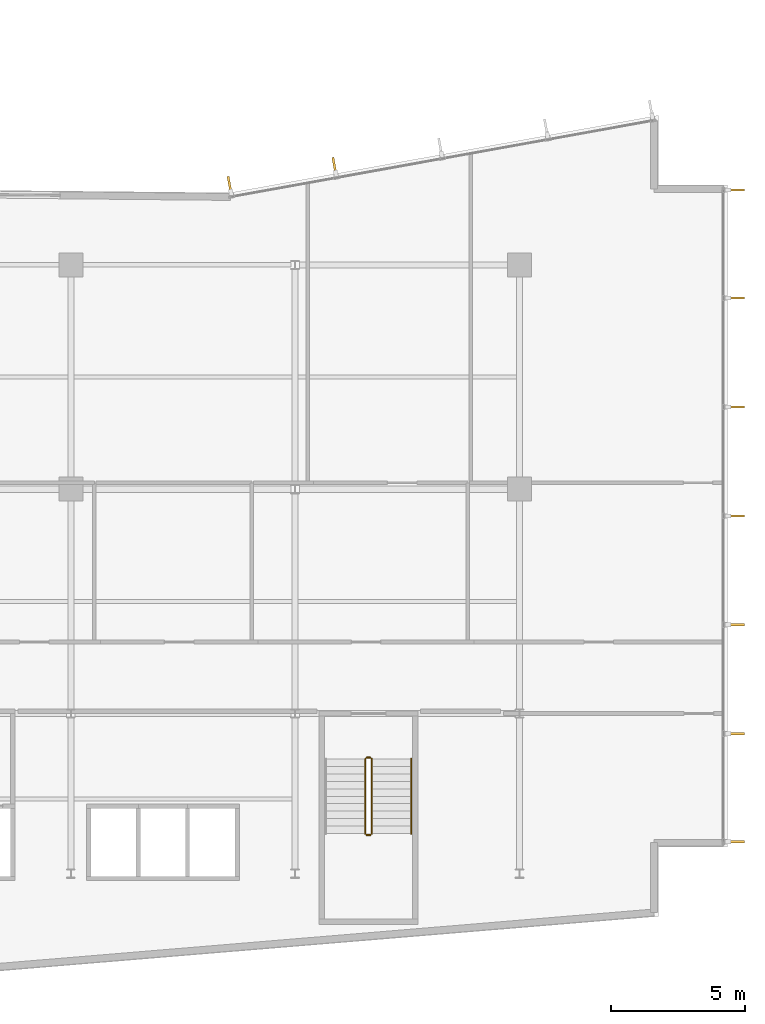
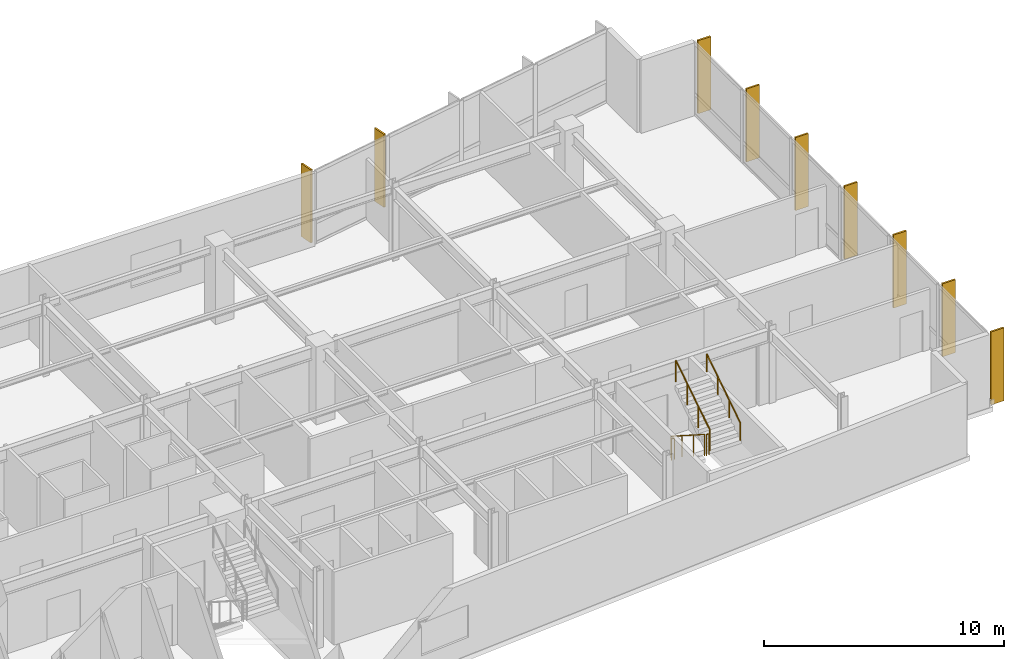
# One storey, part 19 of 21: 9 shading devices, 5 railings.
"""IFC4 building model written with IfcOpenShell, lengths in metres."""

import ifcopenshell
import ifcopenshell.guid

model = None  # the IFC model being written
_history = None  # IfcOwnerHistory: only IFC2X3 demands one
_inside = {}  # id of a spatial element -> (the spatial element, [elements in it])
_under = {}  # id of a project, library or spatial element -> (it, [spatial elements below it])
_declared = {}  # id of a project -> (the project, [libraries it declares])
_typed = {}  # id of a type object -> (the type object, [elements of that type])
_made_of = {}  # id of a material, layer set ... -> (it, [elements and type objects made of it])


def new_model(schema):
    """Start an empty IFC model of exactly this schema.

    Asked for "IFC4X3", IfcOpenShell would pick the latest addendum, in which some entities
    have other attributes; the version numbers below select the first issue.
    IFC2X3 requires an IfcOwnerHistory on every rooted entity: one is made here for all.
    """
    global model, _history
    if schema == "IFC4X3":
        model = ifcopenshell.file(schema_version=(4, 3, 0, 0))
    else:
        model = ifcopenshell.file(schema=schema)
    _inside.clear()
    _under.clear()
    _declared.clear()
    _typed.clear()
    _made_of.clear()
    _history = None
    if model.schema == "IFC2X3":
        org = make("IfcOrganization", Name="unknown")
        user = make(
            "IfcPersonAndOrganization",
            ThePerson=make("IfcPerson", FamilyName="unknown"),
            TheOrganization=org,
        )
        app = make(
            "IfcApplication",
            ApplicationDeveloper=org,
            Version="unknown",
            ApplicationFullName="unknown",
            ApplicationIdentifier="unknown",
        )
        _history = make(
            "IfcOwnerHistory",
            OwningUser=user,
            OwningApplication=app,
            ChangeAction="ADDED",
            CreationDate=0,
        )
    return model


def make(cls, **values):
    """One entity of the class cls with the attributes given. An attribute that is None is left unset."""
    return model.create_entity(
        cls, **{name: value for name, value in values.items() if value is not None}
    )


def rooted(cls, **values):
    """An entity with a GlobalId (a new one), such as an element, a storey or a relation."""
    return make(cls, GlobalId=ifcopenshell.guid.new(), OwnerHistory=_history, **values)


def si_unit(unit_type, name, prefix=None):
    """IfcSIUnit, for example si_unit("LENGTHUNIT", "METRE", prefix="MILLI")."""
    return make("IfcSIUnit", UnitType=unit_type, Prefix=prefix, Name=name)


def assignment(units):
    """IfcUnitAssignment: the units of a project."""
    return None if units is None else make("IfcUnitAssignment", Units=units)


def point(xyz):
    """IfcCartesianPoint."""
    return None if xyz is None else make("IfcCartesianPoint", Coordinates=xyz)


def direction(xyz):
    """IfcDirection."""
    return None if xyz is None else make("IfcDirection", DirectionRatios=xyz)


def frame(location, z_axis=None, x_axis=None):
    """IfcAxis2Placement3D, a coordinate frame: its origin and axes. An axis left out is left unset."""
    return make(
        "IfcAxis2Placement3D",
        Location=point(location),
        Axis=direction(z_axis),
        RefDirection=direction(x_axis),
    )


def frame_2d(location, x_axis=None):
    """IfcAxis2Placement2D, a coordinate frame in the plane: its origin and x axis."""
    return make(
        "IfcAxis2Placement2D", Location=point(location), RefDirection=direction(x_axis)
    )


def origin():
    """The frame at (0, 0, 0) with its axes left unset."""
    return frame((0.0, 0.0, 0.0))


def origin_2d():
    """The frame at (0, 0) in the plane with its x axis left unset."""
    return frame_2d((0.0, 0.0))


def place(relative_to, where):
    """IfcLocalPlacement: puts the frame where relative to a parent placement (None: the world)."""
    return make(
        "IfcLocalPlacement", PlacementRelTo=relative_to, RelativePlacement=where
    )


def context(
    kind, dimensions, precision=None, world=None, true_north=None, identifier=None
):
    """IfcGeometricRepresentationContext, for example the 3D "Model" context."""
    return make(
        "IfcGeometricRepresentationContext",
        ContextIdentifier=identifier,
        ContextType=kind,
        CoordinateSpaceDimension=dimensions,
        Precision=precision,
        WorldCoordinateSystem=world,
        TrueNorth=true_north,
    )


def subcontext(parent, identifier, kind, view, scale=None):
    """IfcGeometricRepresentationSubContext, for example "Body" below "Model"."""
    return make(
        "IfcGeometricRepresentationSubContext",
        ContextIdentifier=identifier,
        ContextType=kind,
        ParentContext=parent,
        TargetScale=scale,
        TargetView=view,
    )


def project(units=None, contexts=None):
    """IfcProject with its units and contexts."""
    return rooted(
        "IfcProject",
        Name="project",
        RepresentationContexts=contexts,
        UnitsInContext=assignment(units),
    )


def spatial(cls, under=None, at=None, **own):
    """A site, building, storey or space (cls), placed at a placement, below another one or the project."""
    s = rooted(cls, ObjectPlacement=at, **own)
    if under is not None:
        _under.setdefault(under.id(), (under, []))[1].append(s)
    return s


def profile(cls, at=None, kind="AREA", **sizes):
    """A parametric profile (cls). Its sizes go by their IFC names, for example OverallWidth=200.0."""
    return make(cls, ProfileType=kind, Position=at, **sizes)


def rectangle(**sizes):
    """IfcRectangleProfileDef."""
    return profile("IfcRectangleProfileDef", **sizes)


def circle(**sizes):
    """IfcCircleProfileDef."""
    return profile("IfcCircleProfileDef", **sizes)


def extrude(swept, where, along, depth):
    """IfcExtrudedAreaSolid: the profile swept, set in the frame where, extruded along a direction by depth."""
    return make(
        "IfcExtrudedAreaSolid",
        SweptArea=swept,
        Position=where,
        ExtrudedDirection=direction(along),
        Depth=depth,
    )


def shape(context_of_items, identifier, shape_type, items):
    """IfcShapeRepresentation: the items that make up one representation, for example the "Body"."""
    return make(
        "IfcShapeRepresentation",
        ContextOfItems=context_of_items,
        RepresentationIdentifier=identifier,
        RepresentationType=shape_type,
        Items=items,
    )


def material(Name=None, Category=None):
    """IfcMaterial."""
    return make("IfcMaterial", Name=Name, Category=Category)


def layer(
    of_material, thickness, ventilated=None, Name=None, Category=None, Priority=None
):
    """IfcMaterialLayer: one layer of a wall or slab, of a material (None: an air gap)."""
    return make(
        "IfcMaterialLayer",
        Material=of_material,
        LayerThickness=thickness,
        IsVentilated=ventilated,
        Name=Name,
        Category=Category,
        Priority=Priority,
    )


def layer_set(layers, Name=None):
    """IfcMaterialLayerSet."""
    return make("IfcMaterialLayerSet", MaterialLayers=layers, LayerSetName=Name)


def made_of(thing, what):
    """Note that an element or type object is made of a material, layer set ...; save() writes the relation."""
    if what is not None:
        _made_of.setdefault(what.id(), (what, []))[1].append(thing)
    return thing


def type_object(cls, material=None, **own):
    """A type object (cls), such as IfcWallType, which elements share."""
    return made_of(rooted(cls, **own), material)


def element(
    cls,
    number,
    at=None,
    inside=None,
    cuts=None,
    type_object=None,
    material=None,
    context=None,
    identifier="Body",
    shape_type=None,
    held_by="IfcProductDefinitionShape",
    body=None,
    shapes=None,
    **own,
):
    """One element of the class cls, such as IfcWall. Its Tag is "e" and its number.

    at: its placement. inside: the storey or other place that contains it. cuts: it is an
    opening in that element (IfcRelVoidsElement). A single representation is given by context,
    identifier, shape_type and body (its items); several are given by shapes. held_by: the class
    of the entity that holds the representations. save() writes the other relations.
    """
    e = rooted(cls, Tag="e%d" % number, ObjectPlacement=at, **own)
    if body is not None:
        shapes = [shape(context, identifier, shape_type, body)]
    if shapes is not None:
        e.Representation = make(held_by, Representations=shapes)
    if inside is not None:
        _inside.setdefault(inside.id(), (inside, []))[1].append(e)
    if cuts is not None:
        rooted(
            "IfcRelVoidsElement", RelatingBuildingElement=cuts, RelatedOpeningElement=e
        )
    if type_object is not None:
        _typed.setdefault(type_object.id(), (type_object, []))[1].append(e)
    return made_of(e, material)


def aggregate(whole, parts):
    """IfcRelAggregates: a whole, such as a stair, and the parts it consists of."""
    return rooted("IfcRelAggregates", RelatingObject=whole, RelatedObjects=parts)


def save(model, path):
    """Write the relations noted so far, then the file.

    IfcRelAggregates (storeys below a building ...), IfcRelContainedInSpatialStructure (elements
    in a storey), IfcRelDefinesByType, IfcRelAssociatesMaterial and IfcRelDeclares: one each for
    every whole, place, type object, material and project.
    """
    for whole, parts in _under.values():
        aggregate(whole, parts)
    for where, things in _inside.values():
        rooted(
            "IfcRelContainedInSpatialStructure",
            RelatedElements=things,
            RelatingStructure=where,
        )
    for kind, things in _typed.values():
        rooted("IfcRelDefinesByType", RelatedObjects=things, RelatingType=kind)
    for what, things in _made_of.values():
        rooted("IfcRelAssociatesMaterial", RelatedObjects=things, RelatingMaterial=what)
    for by, libraries in _declared.values():
        rooted("IfcRelDeclares", RelatingContext=by, RelatedDefinitions=libraries)
    model.write(path)


model = new_model("IFC4")

# Units and contexts
model_context = context("Model", 3, precision=1e-05, world=origin(), true_north=direction((0.0, 1.0)))
body_context = subcontext(model_context, "Body", "Model", "MODEL_VIEW")
ifc_project = project(units=[si_unit("LENGTHUNIT", "METRE"), si_unit("AREAUNIT", "SQUARE_METRE"), si_unit("VOLUMEUNIT", "CUBIC_METRE"), si_unit("PLANEANGLEUNIT", "RADIAN"), si_unit("MASSUNIT", "GRAM", prefix="KILO")], contexts=[model_context])

# Site, building, storey
site_placement = place(None, origin())
site = spatial("IfcSite", under=ifc_project, at=site_placement, CompositionType="ELEMENT")
building_placement = place(site_placement, origin())
building = spatial("IfcBuilding", under=site, at=building_placement, Name="Varnakote Quay Hospital", CompositionType="ELEMENT")
storey_placement = place(building_placement, frame((0.0, 0.0, 77.800048828125)))
storey = spatial("IfcBuildingStorey", under=building, at=storey_placement, Name="L19", CompositionType="ELEMENT", Elevation=77.800048828125)

# Railings
ifc_material_1 = material(Name="Brushed stainless steel balustrade", Category="steel")
railing_type_1 = type_object("IfcRailingType", Name="RLG-STAIR-GUARD-1150", PredefinedType="GUARDRAIL", material=ifc_material_1)
railing_1_placement = place(storey_placement, frame((44.6298828125, 10.300048828125, 0.179443359375)))
element("IfcRailing", 1, at=railing_1_placement, inside=storey, type_object=railing_type_1, Name="L19 ST-03 stair guard 1", PredefinedType="GUARDRAIL", context=body_context, shape_type="SweptSolid", body=[
    extrude(circle(Radius=0.02392578125, at=origin_2d()), frame((0.0, 0.0, 1.076171875), z_axis=(0.0, -0.841809871826, 0.539774156196), x_axis=(1.0, 0.0, 0.0)), (0.0, 0.0, 1.0), 3.326171875),
    extrude(circle(Radius=0.02099609375, at=origin_2d()), origin(), (0.0, 0.0, 1.0), 1.052001953125),
    extrude(circle(Radius=0.02099609375, at=origin_2d()), frame((0.0, -0.933349609375, 0.598388671875)), (0.0, 0.0, 1.0), 1.052001953125),
    extrude(circle(Radius=0.02099609375, at=origin_2d()), frame((0.0, -1.86669921875, 1.197021484375)), (0.0, 0.0, 1.0), 1.052001953125),
    extrude(circle(Radius=0.02099609375, at=origin_2d()), frame((0.0, -2.800048828125, 1.79541015625)), (0.0, 0.0, 1.0), 1.052001953125),
])
railing_2_placement = place(storey_placement, frame((44.679931640625, 7.449951171875, 1.974853515625)))
element("IfcRailing", 2, at=railing_2_placement, inside=storey, type_object=railing_type_1, Name="L19 ST-03 stair guard 2", PredefinedType="GUARDRAIL", context=body_context, shape_type="SweptSolid", body=[
    extrude(circle(Radius=0.02392578125, at=origin_2d()), frame((0.0, 0.0, 1.076171875), z_axis=(1.0, 0.0, 0.0), x_axis=(0.0, 1.0, 0.0)), (0.0, 0.0, 1.0), 0.14013671875),
    extrude(circle(Radius=0.02099609375, at=origin_2d()), origin(), (0.0, 0.0, 1.0), 1.052001953125),
    extrude(circle(Radius=0.02099609375, at=origin_2d()), frame((0.14013671875, 0.0, 0.0)), (0.0, 0.0, 1.0), 1.052001953125),
])
railing_3_placement = place(storey_placement, frame((44.8701171875, 7.5, 2.154541015625)))
element("IfcRailing", 3, at=railing_3_placement, inside=storey, type_object=railing_type_1, Name="L19 ST-03 stair guard 3", PredefinedType="GUARDRAIL", context=body_context, shape_type="SweptSolid", body=[
    extrude(circle(Radius=0.02392578125, at=origin_2d()), frame((0.0, 0.0, 1.076171875), z_axis=(0.0, 0.841809871826, 0.539774156196), x_axis=(-1.0, 0.0, 0.0)), (0.0, 0.0, 1.0), 3.326171875),
    extrude(circle(Radius=0.02099609375, at=origin_2d()), origin(), (0.0, 0.0, 1.0), 1.052001953125),
    extrude(circle(Radius=0.02099609375, at=origin_2d()), frame((0.0, 0.933349609375, 0.598388671875)), (0.0, 0.0, 1.0), 1.052001953125),
    extrude(circle(Radius=0.02099609375, at=origin_2d()), frame((0.0, 1.86669921875, 1.197021484375)), (0.0, 0.0, 1.0), 1.052001953125),
    extrude(circle(Radius=0.02099609375, at=origin_2d()), frame((0.0, 2.800048828125, 1.79541015625)), (0.0, 0.0, 1.0), 1.052001953125),
])
railing_4_placement = place(storey_placement, frame((44.679931640625, 10.35009765625, 0.0)))
element("IfcRailing", 4, at=railing_4_placement, inside=storey, type_object=railing_type_1, Name="L19 ST-03 stair guard 4", PredefinedType="GUARDRAIL", context=body_context, shape_type="SweptSolid", body=[
    extrude(circle(Radius=0.02392578125, at=origin_2d()), frame((0.0, 0.0, 1.076171875), z_axis=(1.0, 0.0, 0.0), x_axis=(0.0, 1.0, 0.0)), (0.0, 0.0, 1.0), 0.14013671875),
    extrude(circle(Radius=0.02099609375, at=origin_2d()), origin(), (0.0, 0.0, 1.0), 1.052001953125),
    extrude(circle(Radius=0.02099609375, at=origin_2d()), frame((0.14013671875, 0.0, 0.0)), (0.0, 0.0, 1.0), 1.052001953125),
])
ifc_material_2 = material(Name="Brushed stainless steel handrail", Category="steel")
railing_type_2 = type_object("IfcRailingType", Name="RLG-STAIR-HND-920", PredefinedType="HANDRAIL", material=ifc_material_2)
railing_5_placement = place(storey_placement, frame((46.35009765625, 7.5, 2.154541015625)))
element("IfcRailing", 5, at=railing_5_placement, inside=storey, type_object=railing_type_2, Name="L19 ST-03 stair handrail 2", PredefinedType="HANDRAIL", context=body_context, shape_type="SweptSolid", body=[
    extrude(circle(Radius=0.02392578125, at=origin_2d()), frame((0.0, 0.0, 0.8759765625), z_axis=(0.0, 0.841809871826, 0.539774156196), x_axis=(-1.0, 0.0, 0.0)), (0.0, 0.0, 1.0), 3.326171875),
    extrude(circle(Radius=0.02099609375, at=origin_2d()), origin(), (0.0, 0.0, 1.0), 0.851806640625),
    extrude(circle(Radius=0.02099609375, at=origin_2d()), frame((0.0, 0.933349609375, 0.598388671875)), (0.0, 0.0, 1.0), 0.851806640625),
    extrude(circle(Radius=0.02099609375, at=origin_2d()), frame((0.0, 1.86669921875, 1.197021484375)), (0.0, 0.0, 1.0), 0.851806640625),
    extrude(circle(Radius=0.02099609375, at=origin_2d()), frame((0.0, 2.800048828125, 1.79541015625)), (0.0, 0.0, 1.0), 0.851806640625),
])

# Shading devices
ifc_material_3 = material(Name="Anodised aluminium 6063-T6 Bronze", Category="aluminium")
ifc_layer = layer(ifc_material_3, 0.0849609375)
ifc_layer_set = layer_set([ifc_layer], Name="Anodised aluminium 6063-T6 Bronze")
shading_device_type = type_object("IfcShadingDeviceType", Name="SHD-BRONZE-FIN-620", PredefinedType="USERDEFINED", material=ifc_layer_set)
for number, where, z_axis, x_axis, name in (
    (6, (58.510009765625, 7.197509765625, 0.0), (0.0, 0.0, 1.0), (-1.0, 0.0, 0.0), "L19 Anodised Bronze Vertical Shading FIN"),
    (7, (58.510009765625, 11.239990234375, 0.0), (0.0, 0.0, 1.0), (-1.0, 0.0, 0.0), "L19 Anodised Bronze Vertical Shading FIN"),
    (8, (58.510009765625, 15.320068359375, 0.0), (0.0, 0.0, 1.0), (-1.0, 0.0, 0.0), "L19 Anodised Bronze Vertical Shading FIN"),
    (9, (58.510009765625, 19.39990234375, 0.0), (0.0, 0.0, 1.0), (-1.0, 0.0, 0.0), "L19 Anodised Bronze Vertical Shading FIN"),
    (10, (58.510009765625, 23.47998046875, 0.0), (0.0, 0.0, 1.0), (-1.0, 0.0, 0.0), "L19 Anodised Bronze Vertical Shading FIN"),
    (11, (58.510009765625, 27.56005859375, 0.0), (0.0, 0.0, 1.0), (-1.0, 0.0, 0.0), "L19 Anodised Bronze Vertical Shading FIN"),
    (12, (58.510009765625, 31.6025390625, 0.0), (0.0, 0.0, 1.0), (-1.0, 0.0, 0.0), "L19 Anodised Bronze Vertical Shading FIN"),
    (13, (43.468505859375, 32.522705078125, 0.0), (0.0, 0.0, 1.0), (0.177771795263, -0.984071739666, 0.0), "L19 Anodised Bronze Vertical Shading FIN"),
    (14, (39.54296875, 31.81298828125, 0.0), (0.0, 0.0, 1.0), (0.177771795263, -0.984071739666, 0.0), "L19 Anodised Bronze Vertical Shading FIN"),
):
    element("IfcShadingDevice", number, at=place(storey_placement, frame(where, z_axis=z_axis, x_axis=x_axis)), inside=storey, type_object=shading_device_type, Name=name, ObjectType="FIN", PredefinedType="USERDEFINED", context=body_context, shape_type="SweptSolid", body=[
        extrude(rectangle(XDim=0.6201171875, YDim=0.0849609375, at=origin_2d()), origin(), (0.0, 0.0, 1.0), 3.7099609375),
    ])

save(model, "model.ifc")
